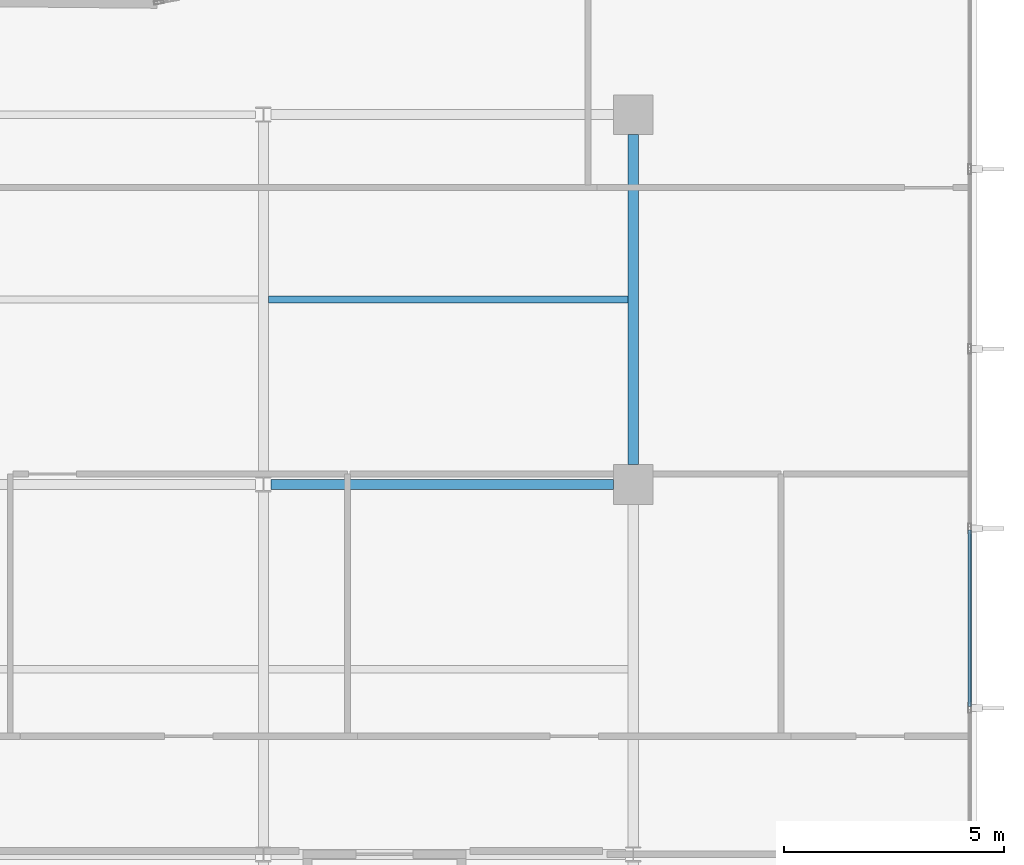
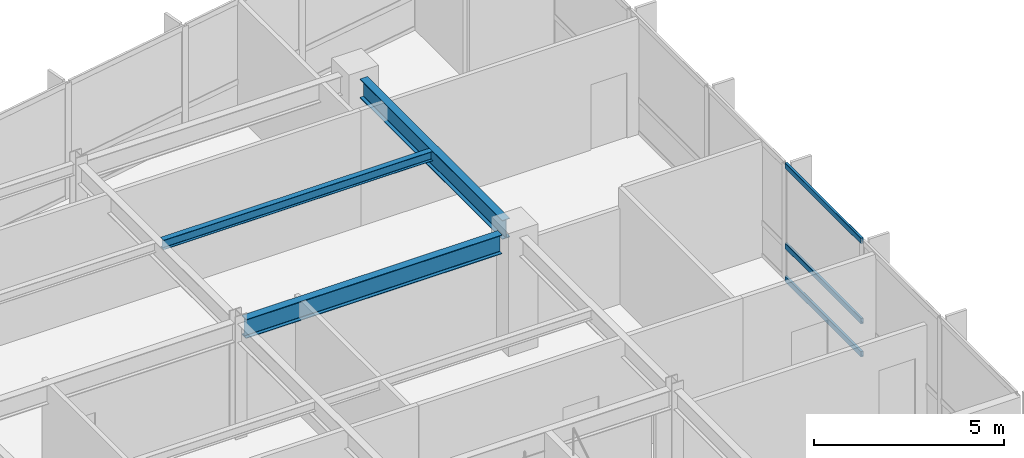
# One storey, part 7 of 20: 3 beams, 3 members, 1 element without a shape of its own.
"""IFC4 building model written with IfcOpenShell, lengths in metres."""

from ifc_helpers import new_model, si_unit, direction, frame, origin, origin_2d, place, context, subcontext, project, spatial, hollow_rectangle, i_section, extrude, material, layer, layer_set, material_profile, profile_set, type_object, element, aggregate, save


model = new_model("IFC4")

# Units and contexts
model_context = context("Model", 3, precision=1e-05, world=origin(), true_north=direction((0.0, 1.0)))
body_context = subcontext(model_context, "Body", "Model", "MODEL_VIEW")
ifc_project = project(units=[si_unit("LENGTHUNIT", "METRE"), si_unit("AREAUNIT", "SQUARE_METRE"), si_unit("VOLUMEUNIT", "CUBIC_METRE"), si_unit("PLANEANGLEUNIT", "RADIAN"), si_unit("MASSUNIT", "GRAM", prefix="KILO")], contexts=[model_context])

# Site, building, storey
site_placement = place(None, origin())
site = spatial("IfcSite", under=ifc_project, at=site_placement, CompositionType="ELEMENT")
building_placement = place(site_placement, origin())
building = spatial("IfcBuilding", under=site, at=building_placement, Name="Varnakote Quay Hospital", CompositionType="ELEMENT")
storey_placement = place(building_placement, frame((0.0, 0.0, 46.199951171875)))
storey = spatial("IfcBuildingStorey", under=building, at=storey_placement, Name="L11", CompositionType="ELEMENT", Elevation=46.199951171875)

# Beams
ifc_material_1 = material(Name="Structural steel AS/NZS 3679.1 Grade 350 L0 (fy 340 MPa)", Category="steel")
ifc_material_profile_1 = material_profile(ifc_material_1, i_section(OverallWidth=0.22900390625, OverallDepth=0.612060546875, WebThickness=0.011962890625, FlangeThickness=0.01953125, FilletRadius=0.013916015625, at=origin_2d()), Name="610UB125")
ifc_profile_set_1 = profile_set([ifc_material_profile_1], Name="Structural steel AS/NZS 3679.1 Grade 350 L0 (fy 340 MPa)")
beam_type_1 = type_object("IfcBeamType", Name="BM-STL-610UB125", PredefinedType="BEAM", material=ifc_profile_set_1)
beam_1_placement = place(storey_placement, frame((42.175048828125, 20.39990234375, 3.404052734375), z_axis=(1.0, 0.0, 0.0), x_axis=(0.0, 1.0, 0.0)))
element("IfcBeam", 1, at=beam_1_placement, inside=storey, type_object=beam_type_1, Name="L11 Primary Floor Beam", PredefinedType="BEAM", context=body_context, shape_type="SweptSolid", body=[
    extrude(i_section(OverallWidth=0.22900390625, OverallDepth=0.612060546875, WebThickness=0.011962890625, FlangeThickness=0.01953125, FilletRadius=0.013916015625, at=origin_2d()), origin(), (0.0, 0.0, 1.0), 7.77490234375),
])
beam_2_placement = place(storey_placement, frame((50.39990234375, 20.85009765625, 3.404052734375), z_axis=(0.0, 1.0, 0.0), x_axis=(-1.0, 0.0, 0.0)))
element("IfcBeam", 2, at=beam_2_placement, inside=storey, type_object=beam_type_1, Name="L11 Primary Tie Beam", PredefinedType="BEAM", context=body_context, shape_type="SweptSolid", body=[
    extrude(i_section(OverallWidth=0.22900390625, OverallDepth=0.612060546875, WebThickness=0.011962890625, FlangeThickness=0.01953125, FilletRadius=0.013916015625, at=origin_2d()), origin(), (0.0, 0.0, 1.0), 7.5),
])

# Curtain wall, members
ifc_material_2 = material(Name="Anodised aluminium 6063-T6 Bronze", Category="aluminium")
ifc_layer = layer(ifc_material_2, 0.18994140625)
ifc_layer_set = layer_set([ifc_layer], Name="Anodised aluminium 6063-T6 Bronze")
curtain_wall_type = type_object("IfcCurtainWallType", Name="CW-SYS-2", PredefinedType="NOTDEFINED", material=ifc_layer_set)
curtain_wall_placement = place(storey_placement, origin())
curtain_wall = element("IfcCurtainWall", 3, at=curtain_wall_placement, inside=storey, type_object=curtain_wall_type, Name="L11 Unitised Bronze Curtain Wall 1", PredefinedType="NOTDEFINED")
ifc_material_3 = material(Name="Anodised aluminium 6063-T6 Bronze", Category="aluminium")
ifc_material_profile_2 = material_profile(ifc_material_3, hollow_rectangle(XDim=0.074951171875, YDim=0.179931640625, WallThickness=0.004150390625, InnerFilletRadius=0.004150390625, OuterFilletRadius=0.00830078125, at=origin_2d()), Name="CW-TRAN-180x75")
ifc_profile_set_2 = profile_set([ifc_material_profile_2], Name="Anodised aluminium 6063-T6 Bronze")
member_type = type_object("IfcMemberType", Name="CW-TRAN-180x75", PredefinedType="USERDEFINED", material=ifc_profile_set_2)
member_1_placement = place(storey_placement, frame((58.0400390625, 15.357421875, 0.03759765625), z_axis=(0.0, 1.0, 0.0), x_axis=(-1.0, 0.0, 0.0)))
member_1 = element("IfcMember", 4, at=member_1_placement, type_object=member_type, Name="-2-L11-1 transom 3.1", ObjectType="TRANSOM", PredefinedType="USERDEFINED", context=body_context, shape_type="SweptSolid", body=[
    extrude(hollow_rectangle(XDim=0.074951171875, YDim=0.179931640625, WallThickness=0.004150390625, InnerFilletRadius=0.004150390625, OuterFilletRadius=0.00830078125, at=origin_2d()), origin(), (0.0, 0.0, 1.0), 4.005126953125),
])
member_2_placement = place(storey_placement, frame((58.0400390625, 15.357421875, 1.10009765625), z_axis=(0.0, 1.0, 0.0), x_axis=(-1.0, 0.0, 0.0)))
member_2 = element("IfcMember", 5, at=member_2_placement, type_object=member_type, Name="-2-L11-1 transom 3.2", ObjectType="TRANSOM", PredefinedType="USERDEFINED", context=body_context, shape_type="SweptSolid", body=[
    extrude(hollow_rectangle(XDim=0.074951171875, YDim=0.179931640625, WallThickness=0.004150390625, InnerFilletRadius=0.004150390625, OuterFilletRadius=0.00830078125, at=origin_2d()), origin(), (0.0, 0.0, 1.0), 4.005126953125),
])
member_3_placement = place(storey_placement, frame((58.0400390625, 15.357421875, 3.672607421875), z_axis=(0.0, 1.0, 0.0), x_axis=(-1.0, 0.0, 0.0)))
member_3 = element("IfcMember", 6, at=member_3_placement, type_object=member_type, Name="-2-L11-1 transom 3.3", ObjectType="TRANSOM", PredefinedType="USERDEFINED", context=body_context, shape_type="SweptSolid", body=[
    extrude(hollow_rectangle(XDim=0.074951171875, YDim=0.179931640625, WallThickness=0.004150390625, InnerFilletRadius=0.004150390625, OuterFilletRadius=0.00830078125, at=origin_2d()), origin(), (0.0, 0.0, 1.0), 4.005126953125),
])
aggregate(curtain_wall, [member_1, member_2, member_3])

# Beam
ifc_material_4 = material(Name="Structural steel AS/NZS 3679.1 Grade 350 L0 (fy 340 MPa)", Category="steel")
ifc_material_profile_3 = material_profile(ifc_material_4, i_section(OverallWidth=0.166015625, OverallDepth=0.306884765625, WebThickness=0.006591796875, FlangeThickness=0.01171875, FilletRadius=0.011474609375, at=origin_2d()), Name="310UB46.2")
ifc_profile_set_3 = profile_set([ifc_material_profile_3], Name="Structural steel AS/NZS 3679.1 Grade 350 L0 (fy 340 MPa)")
beam_type_2 = type_object("IfcBeamType", Name="JST-STL-310UB46-2", PredefinedType="JOIST", material=ifc_profile_set_3)
beam_3_placement = place(storey_placement, frame((42.114501953125, 24.60009765625, 3.556640625), z_axis=(1.0, 0.0, 0.0), x_axis=(0.0, 1.0, 0.0)))
element("IfcBeam", 7, at=beam_3_placement, inside=storey, type_object=beam_type_2, Name="L11 Composite Floor Joist", PredefinedType="JOIST", context=body_context, shape_type="SweptSolid", body=[
    extrude(i_section(OverallWidth=0.166015625, OverallDepth=0.306884765625, WebThickness=0.006591796875, FlangeThickness=0.01171875, FilletRadius=0.011474609375, at=origin_2d()), origin(), (0.0, 0.0, 1.0), 8.1708984375),
])

save(model, "model.ifc")
